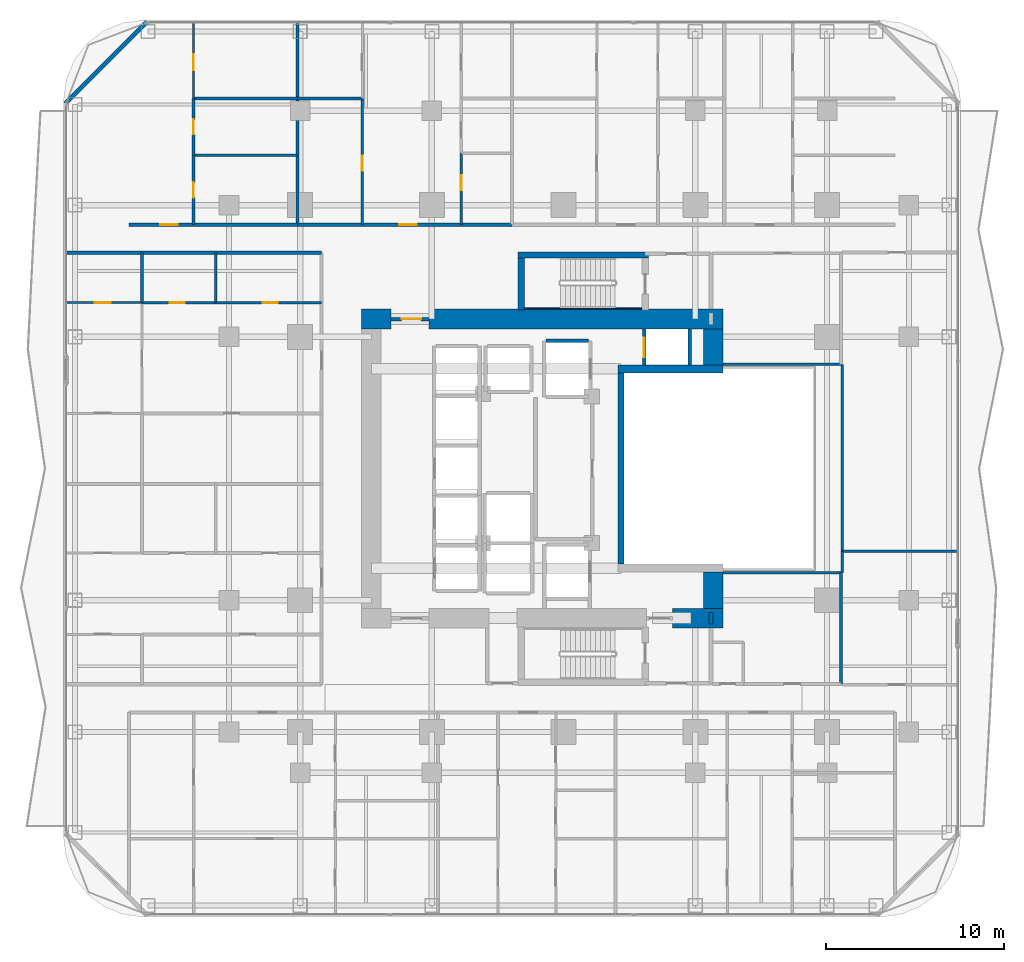
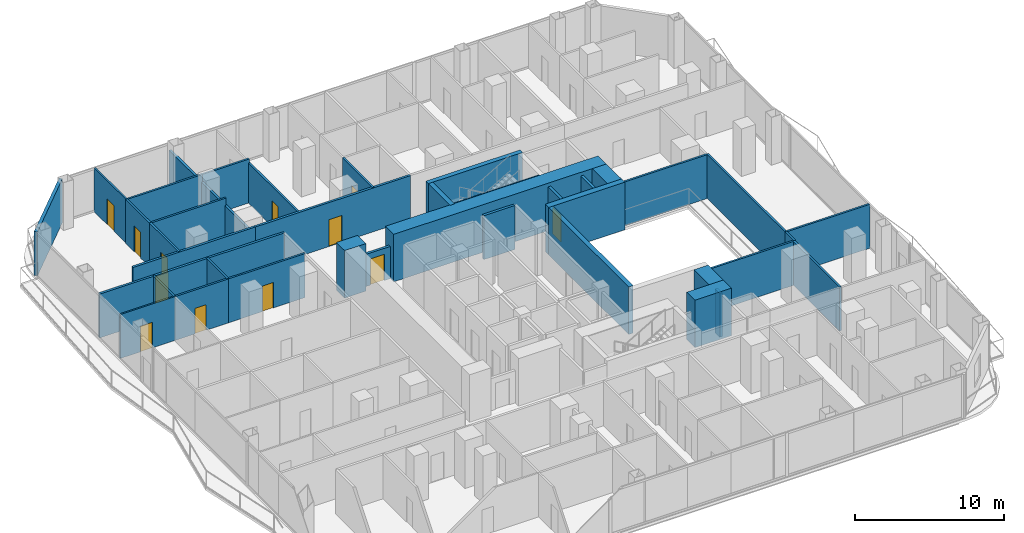
# One storey, part 22 of 29: 39 walls, 12 doors, 12 openings.
"""IFC4 building model written with IfcOpenShell, lengths in metres."""

from ifc_helpers import new_model, si_unit, direction, frame, frame_2d, origin, place, context, subcontext, project, spatial, rectangle, extrude, material, layer, layer_set, type_object, element, fill, save


model = new_model("IFC4")

# Units and contexts
model_context = context("Model", 3, precision=1e-05, world=origin(), true_north=direction((0.0, 1.0)))
body_context = subcontext(model_context, "Body", "Model", "MODEL_VIEW")
ifc_project = project(units=[si_unit("LENGTHUNIT", "METRE"), si_unit("AREAUNIT", "SQUARE_METRE"), si_unit("VOLUMEUNIT", "CUBIC_METRE"), si_unit("PLANEANGLEUNIT", "RADIAN"), si_unit("MASSUNIT", "GRAM", prefix="KILO")], contexts=[model_context])

# Site, building, storey
site_placement = place(None, origin())
site = spatial("IfcSite", under=ifc_project, at=site_placement, CompositionType="ELEMENT")
building_placement = place(site_placement, origin())
building = spatial("IfcBuilding", under=site, at=building_placement, Name="Khorvyn Point Tower", CompositionType="ELEMENT")
storey_placement = place(building_placement, frame((0.0, 0.0, 73.5)))
storey = spatial("IfcBuildingStorey", under=building, at=storey_placement, Name="L19", CompositionType="ELEMENT", Elevation=73.5)

# Wall, opening, door
ifc_material_1 = material(Name="Double acoustic gypsum on twin steel stud", Category="steel")
ifc_layer_1 = layer(ifc_material_1, 0.179931640625)
ifc_layer_set_1 = layer_set([ifc_layer_1], Name="Acoustic Double-Stud Apartment Demising Wall 180")
wall_type_1 = type_object("IfcWallType", Name="Acoustic Double-Stud Apartment Demising Wall 180", PredefinedType="PARTITIONING", material=ifc_layer_set_1)
wall_1_placement = place(storey_placement, frame((-24.419921875, 13.699951171875, 0.0), z_axis=(0.0, 0.0, 1.0), x_axis=(1.0, 0.0, 0.0)))
wall_1 = element("IfcWall", 1, at=wall_1_placement, inside=storey, type_object=wall_type_1, Name="Wall", PredefinedType="PARTITIONING", context=body_context, shape_type="SweptSolid", body=[
    extrude(rectangle(XDim=9.468994140625, YDim=0.179931640625, at=frame_2d((4.734375, 0.0))), origin(), (0.0, 0.0, 1.0), 3.60009765625),
])
opening_1_placement = place(wall_1_placement, frame((1.75439453125, 0.0, 0.0)))
opening_1 = element("IfcOpeningElement", 2, at=opening_1_placement, cuts=wall_1, Name="Opening ID-AP60", PredefinedType="OPENING", context=body_context, shape_type="SweptSolid", body=[
    extrude(rectangle(XDim=1.0, YDim=2.199951171875, at=frame_2d((0.5, 1.10009765625))), frame((0.0, 0.099853515625, 0.0), z_axis=(0.0, -1.0, 0.0), x_axis=(1.0, 0.0, 0.0)), (0.0, 0.0, 1.0), 0.199951171875),
])
ifc_material_2 = material(Name="Engineered hardwood fire-rated leaf", Category="wood")
door_type_1 = type_object("IfcDoorType", Name="Acoustic Solid-Core Timber Apartment Entrance Door 1000x2200", OperationType="NOTDEFINED", PredefinedType="DOOR", material=ifc_material_2)
door_1_placement = place(opening_1_placement, origin())
door_1 = element("IfcDoor", 3, at=door_1_placement, inside=storey, type_object=door_type_1, Name="Door", OperationType="SINGLE_SWING_LEFT", OverallHeight=2.199951171875, OverallWidth=1.0, PredefinedType="DOOR", context=body_context, shape_type="SweptSolid", body=[
    extrude(rectangle(XDim=1.0, YDim=2.199951171875, at=frame_2d((0.5, 1.10009765625))), frame((0.0, 0.02490234375, 0.0), z_axis=(0.0, -1.0, 0.0), x_axis=(1.0, 0.0, 0.0)), (0.0, 0.0, 1.0), 0.050048828125),
])
fill(opening_1, door_1)

wall_2_placement = place(storey_placement, frame((-14.950927734375, 13.699951171875, 0.0), z_axis=(0.0, 0.0, 1.0), x_axis=(1.0, 0.0, 0.0)))
wall_2 = element("IfcWall", 4, at=wall_2_placement, inside=storey, type_object=wall_type_1, Name="Wall", PredefinedType="PARTITIONING", context=body_context, shape_type="SweptSolid", body=[
    extrude(rectangle(XDim=12.051025390625, YDim=0.179931640625, at=frame_2d((6.025390625, 0.0))), origin(), (0.0, 0.0, 1.0), 3.60009765625),
])
opening_2_placement = place(wall_2_placement, frame((5.704345703125, 0.0, 0.0)))
opening_2 = element("IfcOpeningElement", 5, at=opening_2_placement, cuts=wall_2, Name="Opening ID-AP60", PredefinedType="OPENING", context=body_context, shape_type="SweptSolid", body=[
    extrude(rectangle(XDim=1.0, YDim=2.199951171875, at=frame_2d((0.5, 1.10009765625))), frame((0.0, 0.099853515625, 0.0), z_axis=(0.0, -1.0, 0.0), x_axis=(1.0, 0.0, 0.0)), (0.0, 0.0, 1.0), 0.199951171875),
])
door_2_placement = place(opening_2_placement, origin())
door_2 = element("IfcDoor", 6, at=door_2_placement, inside=storey, type_object=door_type_1, Name="Door", OperationType="SINGLE_SWING_LEFT", OverallHeight=2.199951171875, OverallWidth=1.0, PredefinedType="DOOR", context=body_context, shape_type="SweptSolid", body=[
    extrude(rectangle(XDim=1.0, YDim=2.199951171875, at=frame_2d((0.5, 1.10009765625))), frame((0.0, 0.02490234375, 0.0), z_axis=(0.0, -1.0, 0.0), x_axis=(1.0, 0.0, 0.0)), (0.0, 0.0, 1.0), 0.050048828125),
])
fill(opening_2, door_2)

# Walls
wall_3_placement = place(storey_placement, frame((-14.950927734375, 13.699951171875, 0.0), z_axis=(0.0, 0.0, 1.0), x_axis=(0.0, 1.0, 0.0)))
element("IfcWall", 7, at=wall_3_placement, inside=storey, type_object=wall_type_1, Name="Wall", PredefinedType="PARTITIONING", context=body_context, shape_type="SweptSolid", body=[
    extrude(rectangle(XDim=11.330078125, YDim=0.179931640625, at=frame_2d((5.6650390625, 0.0))), origin(), (0.0, 0.0, 1.0), 3.001953125),
])
wall_4_placement = place(storey_placement, frame((-27.929931640625, 12.1201171875, 0.0), z_axis=(0.0, 0.0, 1.0), x_axis=(1.0, 0.0, 0.0)))
element("IfcWall", 8, at=wall_4_placement, inside=storey, type_object=wall_type_1, Name="Wall", PredefinedType="PARTITIONING", context=body_context, shape_type="SweptSolid", body=[
    extrude(rectangle(XDim=14.329833984375, YDim=0.179931640625, at=frame_2d((7.1650390625, 0.0))), origin(), (0.0, 0.0, 1.0), 3.60009765625),
])
ifc_material_3 = material(Name="Pale anodised aluminium rainscreen on steel stud", Category="steel")
ifc_layer_2 = layer(ifc_material_3, 0.239990234375)
ifc_layer_set_2 = layer_set([ifc_layer_2], Name="Anodised Aluminium Insulated Corner Spandrel Wall 240")
wall_type_2 = type_object("IfcWallType", Name="Anodised Aluminium Insulated Corner Spandrel Wall 240", PredefinedType="SOLIDWALL", material=ifc_layer_set_2)
wall_5_placement = place(storey_placement, frame((-27.992431640625, 20.507568359375, 0.0), z_axis=(0.0, 0.0, 1.0), x_axis=(0.707106781187, 0.707106781187, 0.0)))
element("IfcWall", 9, at=wall_5_placement, inside=storey, type_object=wall_type_2, Name="L19 Rounded Corner Wall NW", PredefinedType="SOLIDWALL", context=body_context, shape_type="SweptSolid", body=[
    extrude(rectangle(XDim=6.48388671875, YDim=0.239990234375, at=frame_2d((3.241943359375, 0.0))), origin(), (0.0, 0.0, 1.0), 3.60009765625),
])
ifc_material_4 = material(Name="Concrete C40/50", Category="concrete")
ifc_layer_3 = layer(ifc_material_4, 0.449951171875)
ifc_layer_set_3 = layer_set([ifc_layer_3], Name="Concrete C40/50 Core Shear Wall 450")
wall_type_3 = type_object("IfcWallType", Name="Concrete C40/50 Core Shear Wall 450", PredefinedType="SHEAR", material=ifc_layer_set_3)
wall_6_placement = place(storey_placement, frame((3.044921875, 5.60009765625, 0.0), z_axis=(0.0, 0.0, 1.0), x_axis=(1.0, 0.0, 0.0)))
element("IfcWall", 10, at=wall_6_placement, inside=storey, type_object=wall_type_3, Name="Wall", PredefinedType="SHEAR", context=body_context, shape_type="SweptSolid", body=[
    extrude(rectangle(XDim=5.905029296875, YDim=0.449951171875, at=frame_2d((2.95263671875, 0.0))), origin(), (0.0, 0.0, 1.0), 3.89990234375),
])

# Wall, opening, door
ifc_layer_4 = layer(ifc_material_4, 0.199951171875)
ifc_layer_set_4 = layer_set([ifc_layer_4], Name="Concrete C40/50 Fire-Lobby Compartment Wall 200")
wall_type_4 = type_object("IfcWallType", Name="Concrete C40/50 Fire-Lobby Compartment Wall 200", PredefinedType="SOLIDWALL", material=ifc_layer_set_4)
wall_7_placement = place(storey_placement, frame((-9.699951171875, 8.39990234375, 0.0), z_axis=(0.0, 0.0, 1.0), x_axis=(1.0, 0.0, 0.0)))
wall_7 = element("IfcWall", 11, at=wall_7_placement, inside=storey, type_object=wall_type_4, Name="Wall", PredefinedType="SOLIDWALL", context=body_context, shape_type="SweptSolid", body=[
    extrude(rectangle(XDim=2.14990234375, YDim=0.199951171875, at=frame_2d((1.074951171875, 0.0))), origin(), (0.0, 0.0, 1.0), 2.639892578125),
])
opening_3_placement = place(wall_7_placement, frame((0.597900390625, 0.0, 0.0)))
opening_3 = element("IfcOpeningElement", 12, at=opening_3_placement, cuts=wall_7, Name="Opening ID-FL90", PredefinedType="OPENING", context=body_context, shape_type="SweptSolid", body=[
    extrude(rectangle(XDim=1.10009765625, YDim=2.14990234375, at=frame_2d((0.550048828125, 1.074951171875))), frame((0.0, 0.10986328125, 0.0), z_axis=(0.0, -1.0, 0.0), x_axis=(1.0, 0.0, 0.0)), (0.0, 0.0, 1.0), 0.219970703125),
])
ifc_material_5 = material(Name="Galvanised powder-coated steel", Category="steel")
door_type_2 = type_object("IfcDoorType", Name="Fire-Rated Steel Lobby and Stair Door 1100x2150", OperationType="NOTDEFINED", PredefinedType="DOOR", material=ifc_material_5)
door_3_placement = place(opening_3_placement, origin())
door_3 = element("IfcDoor", 13, at=door_3_placement, inside=storey, type_object=door_type_2, Name="Door", OperationType="SINGLE_SWING_LEFT", OverallHeight=2.14990234375, OverallWidth=1.10009765625, PredefinedType="DOOR", context=body_context, shape_type="SweptSolid", body=[
    extrude(rectangle(XDim=1.10009765625, YDim=2.14990234375, at=frame_2d((0.550048828125, 1.074951171875))), frame((0.0, 0.02490234375, 0.0), z_axis=(0.0, -1.0, 0.0), x_axis=(1.0, 0.0, 0.0)), (0.0, 0.0, 1.0), 0.050048828125),
])
fill(opening_3, door_3)

# Walls
wall_8_placement = place(storey_placement, frame((8.280029296875, -8.72509765625, 0.0), z_axis=(0.0, 0.0, 1.0), x_axis=(0.0, 1.0, 0.0)))
element("IfcWall", 14, at=wall_8_placement, inside=storey, type_object=wall_type_4, Name="Wall", PredefinedType="SOLIDWALL", context=body_context, shape_type="SweptSolid", body=[
    extrude(rectangle(XDim=0.625, YDim=0.199951171875, at=frame_2d((0.3125, 0.0))), origin(), (0.0, 0.0, 1.0), 3.60009765625),
])
ifc_layer_5 = layer(ifc_material_4, 0.25)
ifc_layer_set_5 = layer_set([ifc_layer_5], Name="Concrete C40/50 Stair Inner Cheek Structural Wall 250")
wall_type_5 = type_object("IfcWallType", Name="Concrete C40/50 Stair Inner Cheek Structural Wall 250", PredefinedType="SHEAR", material=ifc_layer_set_5)
wall_9_placement = place(storey_placement, frame((-2.199951171875, 8.987548828125, 0.0), z_axis=(0.0, 0.0, 1.0), x_axis=(1.0, 0.0, 0.0)))
element("IfcWall", 15, at=wall_9_placement, inside=storey, type_object=wall_type_5, Name="Wall", PredefinedType="SHEAR", context=body_context, shape_type="SweptSolid", body=[
    extrude(rectangle(XDim=6.599853515625, YDim=0.074951171875, at=frame_2d((3.2998046875, 0.0))), origin(), (0.0, 0.0, 1.0), 3.89990234375),
])
ifc_layer_6 = layer(ifc_material_4, 0.35009765625)
ifc_layer_set_6 = layer_set([ifc_layer_6], Name="Concrete C40/50 Stair Shaft Structural Wall 350")
wall_type_6 = type_object("IfcWallType", Name="Concrete C40/50 Stair Shaft Structural Wall 350", PredefinedType="SHEAR", material=ifc_layer_set_6)
wall_10_placement = place(storey_placement, frame((3.219970703125, -5.375, 0.0), z_axis=(0.0, 0.0, 1.0), x_axis=(0.0, 1.0, 0.0)))
element("IfcWall", 16, at=wall_10_placement, inside=storey, type_object=wall_type_6, Name="Wall", PredefinedType="SHEAR", context=body_context, shape_type="SweptSolid", body=[
    extrude(rectangle(XDim=10.75, YDim=0.35009765625, at=frame_2d((5.375, 0.0))), origin(), (0.0, 0.0, 1.0), 3.89990234375),
])
wall_11_placement = place(storey_placement, frame((-2.554931640625, 12.0, 0.0), z_axis=(0.0, 0.0, 1.0), x_axis=(1.0, 0.0, 0.0)))
element("IfcWall", 17, at=wall_11_placement, inside=storey, type_object=wall_type_6, Name="L19 ST-02 North Shaft Wall", PredefinedType="SHEAR", context=body_context, shape_type="SweptSolid", body=[
    extrude(rectangle(XDim=7.309814453125, YDim=0.35009765625, at=frame_2d((3.65478515625, 0.0))), origin(), (0.0, 0.0, 1.0), 3.89990234375),
])
wall_12_placement = place(storey_placement, frame((-2.3798828125, 8.89990234375, 0.0), z_axis=(0.0, 0.0, 1.0), x_axis=(0.0, 1.0, 0.0)))
element("IfcWall", 18, at=wall_12_placement, inside=storey, type_object=wall_type_6, Name="L19 ST-02 West Shaft Wall", PredefinedType="SHEAR", context=body_context, shape_type="SweptSolid", body=[
    extrude(rectangle(XDim=2.925048828125, YDim=0.35009765625, at=frame_2d((1.46240234375, 0.0))), origin(), (0.0, 0.0, 1.0), 3.89990234375),
])
ifc_layer_7 = layer(ifc_material_4, 0.199951171875)
ifc_layer_set_7 = layer_set([ifc_layer_7], Name="Concrete C40/50 Structural Hoistway and Stair Shaft Wall 200")
wall_type_7 = type_object("IfcWallType", Name="Concrete C40/50 Structural Hoistway and Stair Shaft Wall 200", PredefinedType="SHEAR", material=ifc_layer_set_7)
wall_13_placement = place(storey_placement, frame((-1.0, 7.175048828125, 0.0), z_axis=(0.0, 0.0, 1.0), x_axis=(1.0, 0.0, 0.0)))
element("IfcWall", 19, at=wall_13_placement, inside=storey, type_object=wall_type_7, Name="Wall", PredefinedType="SHEAR", context=body_context, shape_type="SweptSolid", body=[
    extrude(rectangle(XDim=2.39990234375, YDim=0.199951171875, at=frame_2d((1.199951171875, 0.0))), origin(), (0.0, 0.0, 1.0), 3.60009765625),
])

# Wall, opening, door
wall_14_placement = place(storey_placement, frame((4.52490234375, 5.824951171875, 0.0), z_axis=(0.0, 0.0, 1.0), x_axis=(0.0, 1.0, 0.0)))
wall_14 = element("IfcWall", 20, at=wall_14_placement, inside=storey, type_object=wall_type_7, Name="Wall", PredefinedType="SHEAR", context=body_context, shape_type="SweptSolid", body=[
    extrude(rectangle(XDim=2.025146484375, YDim=0.199951171875, at=frame_2d((1.0126953125, 0.0))), origin(), (0.0, 0.0, 1.0), 3.60009765625),
])
opening_4_placement = place(wall_14_placement, frame((0.425048828125, 0.0, 0.0)))
opening_4 = element("IfcOpeningElement", 21, at=opening_4_placement, cuts=wall_14, Name="Opening LD-1122", PredefinedType="OPENING", context=body_context, shape_type="SweptSolid", body=[
    extrude(rectangle(XDim=1.10009765625, YDim=2.199951171875, at=frame_2d((0.550048828125, 1.10009765625))), frame((0.0, 0.10986328125, 0.0), z_axis=(0.0, -1.0, 0.0), x_axis=(1.0, 0.0, 0.0)), (0.0, 0.0, 1.0), 0.219970703125),
])
ifc_material_6 = material(Name="Stainless steel 1.4301", Category="steel")
door_type_3 = type_object("IfcDoorType", Name="Stainless Steel Automatic Sliding Lift Landing Door 1100x2200", OperationType="SLIDING_TO_LEFT", PredefinedType="DOOR", material=ifc_material_6)
door_4_placement = place(opening_4_placement, origin())
door_4 = element("IfcDoor", 22, at=door_4_placement, inside=storey, type_object=door_type_3, Name="L19 FF-02 Sliding Lift Landing Door", OperationType="SLIDING_TO_LEFT", OverallHeight=2.199951171875, OverallWidth=1.10009765625, PredefinedType="DOOR", context=body_context, shape_type="SweptSolid", body=[
    extrude(rectangle(XDim=1.10009765625, YDim=2.199951171875, at=frame_2d((0.550048828125, 1.10009765625))), frame((0.0, 0.02490234375, 0.0), z_axis=(0.0, -1.0, 0.0), x_axis=(1.0, 0.0, 0.0)), (0.0, 0.0, 1.0), 0.050048828125),
])
fill(opening_4, door_4)

# Walls
wall_15_placement = place(storey_placement, frame((7.074951171875, 5.824951171875, 0.0), z_axis=(0.0, 0.0, 1.0), x_axis=(0.0, 1.0, 0.0)))
element("IfcWall", 23, at=wall_15_placement, inside=storey, type_object=wall_type_7, Name="Wall", PredefinedType="SHEAR", context=body_context, shape_type="SweptSolid", body=[
    extrude(rectangle(XDim=2.025146484375, YDim=0.199951171875, at=frame_2d((1.0126953125, 0.0))), origin(), (0.0, 0.0, 1.0), 3.60009765625),
])
ifc_material_7 = material(Name="Concrete C50/60", Category="concrete")
ifc_layer_8 = layer(ifc_material_7, 1.10009765625)
ifc_layer_set_8 = layer_set([ifc_layer_8], Name="Concrete C50/60 Core Shear Wall 1100")
wall_type_8 = type_object("IfcWallType", Name="Concrete C50/60 Core Shear Wall 1100", PredefinedType="SHEAR", material=ifc_layer_set_8)
wall_16_placement = place(storey_placement, frame((6.1201171875, -8.39990234375, 0.0), z_axis=(0.0, 0.0, 1.0), x_axis=(1.0, 0.0, 0.0)))
element("IfcWall", 24, at=wall_16_placement, inside=storey, type_object=wall_type_8, Name="Wall", PredefinedType="SHEAR", context=body_context, shape_type="SweptSolid", body=[
    extrude(rectangle(XDim=2.829833984375, YDim=1.10009765625, at=frame_2d((1.4150390625, 0.0))), origin(), (0.0, 0.0, 1.0), 3.89990234375),
])
wall_17_placement = place(storey_placement, frame((-11.35009765625, 8.39990234375, 0.0), z_axis=(0.0, 0.0, 1.0), x_axis=(1.0, 0.0, 0.0)))
element("IfcWall", 25, at=wall_17_placement, inside=storey, type_object=wall_type_8, Name="Wall", PredefinedType="SHEAR", context=body_context, shape_type="SweptSolid", body=[
    extrude(rectangle(XDim=1.650146484375, YDim=1.10009765625, at=frame_2d((0.8251953125, 0.0))), origin(), (0.0, 0.0, 1.0), 3.89990234375),
])
wall_18_placement = place(storey_placement, frame((-7.550048828125, 8.39990234375, 0.0), z_axis=(0.0, 0.0, 1.0), x_axis=(1.0, 0.0, 0.0)))
element("IfcWall", 26, at=wall_18_placement, inside=storey, type_object=wall_type_8, Name="Wall", PredefinedType="SHEAR", context=body_context, shape_type="SweptSolid", body=[
    extrude(rectangle(XDim=16.5, YDim=1.10009765625, at=frame_2d((8.25, 0.0))), origin(), (0.0, 0.0, 1.0), 3.89990234375),
])
for number, where, z_axis, x_axis, name in (
    (27, (8.39990234375, -7.85009765625, 0.0), (0.0, 0.0, 1.0), (0.0, 1.0, 0.0), "Wall"),
    (28, (8.39990234375, 5.824951171875, 0.0), (0.0, 0.0, 1.0), (0.0, 1.0, 0.0), "Wall"),
):
    element("IfcWall", number, at=place(storey_placement, frame(where, z_axis=z_axis, x_axis=x_axis)), inside=storey, type_object=wall_type_8, Name=name, PredefinedType="SHEAR", context=body_context, shape_type="SweptSolid", body=[
        extrude(rectangle(XDim=2.025146484375, YDim=1.10009765625, at=frame_2d((1.0126953125, 0.0))), origin(), (0.0, 0.0, 1.0), 3.89990234375),
    ])

# Wall, opening, door
ifc_material_8 = material(Name="Gypsum plasterboard on steel stud", Category="steel")
ifc_layer_9 = layer(ifc_material_8, 0.1201171875)
ifc_layer_set_9 = layer_set([ifc_layer_9], Name="Gypsum Acoustic Stud Room Partition Wall 120")
wall_type_9 = type_object("IfcWallType", Name="Gypsum Acoustic Stud Room Partition Wall 120", PredefinedType="PARTITIONING", material=ifc_layer_set_9)
wall_19_placement = place(storey_placement, frame((-20.797119140625, 20.7900390625, 0.0), z_axis=(0.0, 0.0, 1.0), x_axis=(0.0, 1.0, 0.0)))
wall_19 = element("IfcWall", 29, at=wall_19_placement, inside=storey, type_object=wall_type_9, Name="Wall", PredefinedType="PARTITIONING", context=body_context, shape_type="SweptSolid", body=[
    extrude(rectangle(XDim=4.239990234375, YDim=0.1201171875, at=frame_2d((2.1201171875, 0.0))), origin(), (0.0, 0.0, 1.0), 3.60009765625),
])
opening_5_placement = place(wall_19_placement, frame((1.581298828125, 0.0, 0.0)))
opening_5 = element("IfcOpeningElement", 30, at=opening_5_placement, cuts=wall_19, Name="Opening ID-RM90", PredefinedType="OPENING", context=body_context, shape_type="SweptSolid", body=[
    extrude(rectangle(XDim=0.89990234375, YDim=2.10009765625, at=frame_2d((0.449951171875, 1.050048828125))), frame((0.0, 0.070068359375, 0.0), z_axis=(0.0, -1.0, 0.0), x_axis=(1.0, 0.0, 0.0)), (0.0, 0.0, 1.0), 0.14013671875),
])
ifc_material_9 = material(Name="Engineered oak veneer timber", Category="wood")
door_type_4 = type_object("IfcDoorType", Name="Flush Engineered Timber Room Door 900x2100", OperationType="NOTDEFINED", PredefinedType="DOOR", material=ifc_material_9)
door_5_placement = place(opening_5_placement, origin())
door_5 = element("IfcDoor", 31, at=door_5_placement, inside=storey, type_object=door_type_4, Name="Door", OperationType="SINGLE_SWING_RIGHT", OverallHeight=2.10009765625, OverallWidth=0.89990234375, PredefinedType="DOOR", context=body_context, shape_type="SweptSolid", body=[
    extrude(rectangle(XDim=0.89990234375, YDim=2.10009765625, at=frame_2d((0.449951171875, 1.050048828125))), frame((0.0, 0.02490234375, 0.0), z_axis=(0.0, -1.0, 0.0), x_axis=(1.0, 0.0, 0.0)), (0.0, 0.0, 1.0), 0.050048828125),
])
fill(opening_5, door_5)

wall_20_placement = place(storey_placement, frame((-27.929931640625, 9.320068359375, 0.0), z_axis=(0.0, 0.0, 1.0), x_axis=(1.0, 0.0, 0.0)))
wall_20 = element("IfcWall", 32, at=wall_20_placement, inside=storey, type_object=wall_type_9, Name="Wall", PredefinedType="PARTITIONING", context=body_context, shape_type="SweptSolid", body=[
    extrude(rectangle(XDim=4.239990234375, YDim=0.1201171875, at=frame_2d((2.1201171875, 0.0))), origin(), (0.0, 0.0, 1.0), 3.60009765625),
])
opening_6_placement = place(wall_20_placement, frame((1.581298828125, 0.0, 0.0)))
opening_6 = element("IfcOpeningElement", 33, at=opening_6_placement, cuts=wall_20, Name="Opening ID-RM90", PredefinedType="OPENING", context=body_context, shape_type="SweptSolid", body=[
    extrude(rectangle(XDim=0.89990234375, YDim=2.10009765625, at=frame_2d((0.449951171875, 1.050048828125))), frame((0.0, 0.070068359375, 0.0), z_axis=(0.0, -1.0, 0.0), x_axis=(1.0, 0.0, 0.0)), (0.0, 0.0, 1.0), 0.14013671875),
])
door_6_placement = place(opening_6_placement, origin())
door_6 = element("IfcDoor", 34, at=door_6_placement, inside=storey, type_object=door_type_4, Name="Door", OperationType="SINGLE_SWING_LEFT", OverallHeight=2.10009765625, OverallWidth=0.89990234375, PredefinedType="DOOR", context=body_context, shape_type="SweptSolid", body=[
    extrude(rectangle(XDim=0.89990234375, YDim=2.10009765625, at=frame_2d((0.449951171875, 1.050048828125))), frame((0.0, 0.02490234375, 0.0), z_axis=(0.0, -1.0, 0.0), x_axis=(1.0, 0.0, 0.0)), (0.0, 0.0, 1.0), 0.050048828125),
])
fill(opening_6, door_6)

ifc_material_10 = material(Name="Moisture-resistant gypsum and cement board", Category="gypsum")
ifc_layer_10 = layer(ifc_material_10, 0.14990234375)
ifc_layer_set_10 = layer_set([ifc_layer_10], Name="Moisture-Resistant Wet-Room Partition Wall 150")
wall_type_10 = type_object("IfcWallType", Name="Moisture-Resistant Wet-Room Partition Wall 150", PredefinedType="PARTITIONING", material=ifc_layer_set_10)
wall_21_placement = place(storey_placement, frame((-20.797119140625, 13.699951171875, 0.0), z_axis=(0.0, 0.0, 1.0), x_axis=(0.0, 1.0, 0.0)))
wall_21 = element("IfcWall", 35, at=wall_21_placement, inside=storey, type_object=wall_type_10, Name="Wall", PredefinedType="PARTITIONING", context=body_context, shape_type="SweptSolid", body=[
    extrude(rectangle(XDim=3.899169921875, YDim=0.14990234375, at=frame_2d((1.94970703125, 0.0))), origin(), (0.0, 0.0, 1.0), 3.60009765625),
])
opening_7_placement = place(wall_21_placement, frame((1.5244140625, 0.0, 0.0)))
opening_7 = element("IfcOpeningElement", 36, at=opening_7_placement, cuts=wall_21, Name="Opening ID-WC85", PredefinedType="OPENING", context=body_context, shape_type="SweptSolid", body=[
    extrude(rectangle(XDim=0.85009765625, YDim=2.10009765625, at=frame_2d((0.425048828125, 1.050048828125))), frame((0.0, 0.0849609375, 0.0), z_axis=(0.0, -1.0, 0.0), x_axis=(1.0, 0.0, 0.0)), (0.0, 0.0, 1.0), 0.169921875),
])
ifc_material_11 = material(Name="High-pressure laminate on moisture-resistant core", Category="wood")
door_type_5 = type_object("IfcDoorType", Name="Moisture-Resistant Accessible Washroom Door 850x2100", OperationType="NOTDEFINED", PredefinedType="DOOR", material=ifc_material_11)
door_7_placement = place(opening_7_placement, origin())
door_7 = element("IfcDoor", 37, at=door_7_placement, inside=storey, type_object=door_type_5, Name="Door", OperationType="SINGLE_SWING_RIGHT", OverallHeight=2.10009765625, OverallWidth=0.85009765625, PredefinedType="DOOR", context=body_context, shape_type="SweptSolid", body=[
    extrude(rectangle(XDim=0.85009765625, YDim=2.10009765625, at=frame_2d((0.425048828125, 1.050048828125))), frame((0.0, 0.02490234375, 0.0), z_axis=(0.0, -1.0, 0.0), x_axis=(1.0, 0.0, 0.0)), (0.0, 0.0, 1.0), 0.050048828125),
])
fill(opening_7, door_7)

wall_22_placement = place(storey_placement, frame((-20.797119140625, 17.59912109375, 0.0), z_axis=(0.0, 0.0, 1.0), x_axis=(0.0, 1.0, 0.0)))
wall_22 = element("IfcWall", 38, at=wall_22_placement, inside=storey, type_object=wall_type_10, Name="Wall", PredefinedType="PARTITIONING", context=body_context, shape_type="SweptSolid", body=[
    extrude(rectangle(XDim=3.19091796875, YDim=0.14990234375, at=frame_2d((1.595458984375, 0.0))), origin(), (0.0, 0.0, 1.0), 3.60009765625),
])
opening_8_placement = place(wall_22_placement, frame((1.17041015625, 0.0, 0.0)))
opening_8 = element("IfcOpeningElement", 39, at=opening_8_placement, cuts=wall_22, Name="Opening ID-WC85", PredefinedType="OPENING", context=body_context, shape_type="SweptSolid", body=[
    extrude(rectangle(XDim=0.85009765625, YDim=2.10009765625, at=frame_2d((0.425048828125, 1.050048828125))), frame((0.0, 0.0849609375, 0.0), z_axis=(0.0, -1.0, 0.0), x_axis=(1.0, 0.0, 0.0)), (0.0, 0.0, 1.0), 0.169921875),
])
door_8_placement = place(opening_8_placement, origin())
door_8 = element("IfcDoor", 40, at=door_8_placement, inside=storey, type_object=door_type_5, Name="Door", OperationType="SINGLE_SWING_LEFT", OverallHeight=2.10009765625, OverallWidth=0.85009765625, PredefinedType="DOOR", context=body_context, shape_type="SweptSolid", body=[
    extrude(rectangle(XDim=0.85009765625, YDim=2.10009765625, at=frame_2d((0.425048828125, 1.050048828125))), frame((0.0, 0.02490234375, 0.0), z_axis=(0.0, -1.0, 0.0), x_axis=(1.0, 0.0, 0.0)), (0.0, 0.0, 1.0), 0.050048828125),
])
fill(opening_8, door_8)

wall_23_placement = place(storey_placement, frame((-11.30810546875, 13.699951171875, 0.0), z_axis=(0.0, 0.0, 1.0), x_axis=(0.0, 1.0, 0.0)))
wall_23 = element("IfcWall", 41, at=wall_23_placement, inside=storey, type_object=wall_type_10, Name="Wall", PredefinedType="PARTITIONING", context=body_context, shape_type="SweptSolid", body=[
    extrude(rectangle(XDim=7.090087890625, YDim=0.14990234375, at=frame_2d((3.544921875, 0.0))), origin(), (0.0, 0.0, 1.0), 3.2900390625),
])
opening_9_placement = place(wall_23_placement, frame((3.0302734375, 0.0, 0.0)))
opening_9 = element("IfcOpeningElement", 42, at=opening_9_placement, cuts=wall_23, Name="Opening ID-WC85", PredefinedType="OPENING", context=body_context, shape_type="SweptSolid", body=[
    extrude(rectangle(XDim=0.85009765625, YDim=2.10009765625, at=frame_2d((0.425048828125, 1.050048828125))), frame((0.0, 0.0849609375, 0.0), z_axis=(0.0, -1.0, 0.0), x_axis=(1.0, 0.0, 0.0)), (0.0, 0.0, 1.0), 0.169921875),
])
door_9_placement = place(opening_9_placement, origin())
door_9 = element("IfcDoor", 43, at=door_9_placement, inside=storey, type_object=door_type_5, Name="Door", OperationType="SINGLE_SWING_RIGHT", OverallHeight=2.10009765625, OverallWidth=0.85009765625, PredefinedType="DOOR", context=body_context, shape_type="SweptSolid", body=[
    extrude(rectangle(XDim=0.85009765625, YDim=2.10009765625, at=frame_2d((0.425048828125, 1.050048828125))), frame((0.0, 0.02490234375, 0.0), z_axis=(0.0, -1.0, 0.0), x_axis=(1.0, 0.0, 0.0)), (0.0, 0.0, 1.0), 0.050048828125),
])
fill(opening_9, door_9)

wall_24_placement = place(storey_placement, frame((-5.75, 13.699951171875, 0.0), z_axis=(0.0, 0.0, 1.0), x_axis=(0.0, 1.0, 0.0)))
wall_24 = element("IfcWall", 44, at=wall_24_placement, inside=storey, type_object=wall_type_10, Name="Wall", PredefinedType="PARTITIONING", context=body_context, shape_type="SweptSolid", body=[
    extrude(rectangle(XDim=4.02001953125, YDim=0.14990234375, at=frame_2d((2.010009765625, 0.0))), origin(), (0.0, 0.0, 1.0), 3.60009765625),
])
opening_10_placement = place(wall_24_placement, frame((1.941162109375, 0.0, 0.0)))
opening_10 = element("IfcOpeningElement", 45, at=opening_10_placement, cuts=wall_24, Name="Opening ID-WC85", PredefinedType="OPENING", context=body_context, shape_type="SweptSolid", body=[
    extrude(rectangle(XDim=0.85009765625, YDim=2.10009765625, at=frame_2d((0.425048828125, 1.050048828125))), frame((0.0, 0.0849609375, 0.0), z_axis=(0.0, -1.0, 0.0), x_axis=(1.0, 0.0, 0.0)), (0.0, 0.0, 1.0), 0.169921875),
])
door_10_placement = place(opening_10_placement, origin())
door_10 = element("IfcDoor", 46, at=door_10_placement, inside=storey, type_object=door_type_5, Name="Door", OperationType="SINGLE_SWING_RIGHT", OverallHeight=2.10009765625, OverallWidth=0.85009765625, PredefinedType="DOOR", context=body_context, shape_type="SweptSolid", body=[
    extrude(rectangle(XDim=0.85009765625, YDim=2.10009765625, at=frame_2d((0.425048828125, 1.050048828125))), frame((0.0, 0.02490234375, 0.0), z_axis=(0.0, -1.0, 0.0), x_axis=(1.0, 0.0, 0.0)), (0.0, 0.0, 1.0), 0.050048828125),
])
fill(opening_10, door_10)

wall_25_placement = place(storey_placement, frame((-23.68994140625, 9.320068359375, 0.0), z_axis=(0.0, 0.0, 1.0), x_axis=(1.0, 0.0, 0.0)))
wall_25 = element("IfcWall", 47, at=wall_25_placement, inside=storey, type_object=wall_type_10, Name="Wall", PredefinedType="PARTITIONING", context=body_context, shape_type="SweptSolid", body=[
    extrude(rectangle(XDim=4.136962890625, YDim=0.14990234375, at=frame_2d((2.068359375, 0.0))), origin(), (0.0, 0.0, 1.0), 3.60009765625),
])
opening_11_placement = place(wall_25_placement, frame((1.55615234375, 0.0, 0.0)))
opening_11 = element("IfcOpeningElement", 48, at=opening_11_placement, cuts=wall_25, Name="Opening ID-WC85", PredefinedType="OPENING", context=body_context, shape_type="SweptSolid", body=[
    extrude(rectangle(XDim=0.85009765625, YDim=2.10009765625, at=frame_2d((0.425048828125, 1.050048828125))), frame((0.0, 0.0849609375, 0.0), z_axis=(0.0, -1.0, 0.0), x_axis=(1.0, 0.0, 0.0)), (0.0, 0.0, 1.0), 0.169921875),
])
door_11_placement = place(opening_11_placement, origin())
door_11 = element("IfcDoor", 49, at=door_11_placement, inside=storey, type_object=door_type_5, Name="Door", OperationType="SINGLE_SWING_LEFT", OverallHeight=2.10009765625, OverallWidth=0.85009765625, PredefinedType="DOOR", context=body_context, shape_type="SweptSolid", body=[
    extrude(rectangle(XDim=0.85009765625, YDim=2.10009765625, at=frame_2d((0.425048828125, 1.050048828125))), frame((0.0, 0.02490234375, 0.0), z_axis=(0.0, -1.0, 0.0), x_axis=(1.0, 0.0, 0.0)), (0.0, 0.0, 1.0), 0.050048828125),
])
fill(opening_11, door_11)

wall_26_placement = place(storey_placement, frame((-19.552978515625, 9.320068359375, 0.0), z_axis=(0.0, 0.0, 1.0), x_axis=(1.0, 0.0, 0.0)))
wall_26 = element("IfcWall", 50, at=wall_26_placement, inside=storey, type_object=wall_type_10, Name="Wall", PredefinedType="PARTITIONING", context=body_context, shape_type="SweptSolid", body=[
    extrude(rectangle(XDim=5.952880859375, YDim=0.14990234375, at=frame_2d((2.9765625, 0.0))), origin(), (0.0, 0.0, 1.0), 3.60009765625),
])
opening_12_placement = place(wall_26_placement, frame((2.64013671875, 0.0, 0.0)))
opening_12 = element("IfcOpeningElement", 51, at=opening_12_placement, cuts=wall_26, Name="Opening ID-WC85", PredefinedType="OPENING", context=body_context, shape_type="SweptSolid", body=[
    extrude(rectangle(XDim=0.85009765625, YDim=2.10009765625, at=frame_2d((0.425048828125, 1.050048828125))), frame((0.0, 0.0849609375, 0.0), z_axis=(0.0, -1.0, 0.0), x_axis=(1.0, 0.0, 0.0)), (0.0, 0.0, 1.0), 0.169921875),
])
door_12_placement = place(opening_12_placement, origin())
door_12 = element("IfcDoor", 52, at=door_12_placement, inside=storey, type_object=door_type_5, Name="Door", OperationType="SINGLE_SWING_RIGHT", OverallHeight=2.10009765625, OverallWidth=0.85009765625, PredefinedType="DOOR", context=body_context, shape_type="SweptSolid", body=[
    extrude(rectangle(XDim=0.85009765625, YDim=2.10009765625, at=frame_2d((0.425048828125, 1.050048828125))), frame((0.0, 0.02490234375, 0.0), z_axis=(0.0, -1.0, 0.0), x_axis=(1.0, 0.0, 0.0)), (0.0, 0.0, 1.0), 0.050048828125),
])
fill(opening_12, door_12)

# Walls
wall_27_placement = place(storey_placement, frame((15.580078125, -12.10009765625, 0.0), z_axis=(0.0, 0.0, 1.0), x_axis=(0.0, 1.0, 0.0)))
element("IfcWall", 53, at=wall_27_placement, inside=storey, type_object=wall_type_10, Name="Wall", PredefinedType="PARTITIONING", context=body_context, shape_type="SweptSolid", body=[
    extrude(rectangle(XDim=6.25, YDim=0.14990234375, at=frame_2d((3.125, 0.0))), origin(), (0.0, 0.0, 1.0), 3.60009765625),
])
for number, where, z_axis, x_axis, name in (
    (54, (8.9599609375, -5.85009765625, 0.0), (0.0, 0.0, 1.0), (1.0, 0.0, 0.0), "Wall"),
    (55, (8.9599609375, 5.85009765625, 0.0), (0.0, 0.0, 1.0), (1.0, 0.0, 0.0), "Wall"),
):
    element("IfcWall", number, at=place(storey_placement, frame(where, z_axis=z_axis, x_axis=x_axis)), inside=storey, type_object=wall_type_10, Name=name, PredefinedType="PARTITIONING", context=body_context, shape_type="SweptSolid", body=[
        extrude(rectangle(XDim=6.6201171875, YDim=0.14990234375, at=frame_2d((3.31005859375, 0.0))), origin(), (0.0, 0.0, 1.0), 3.60009765625),
    ])
for number, where, z_axis, x_axis, name in (
    (56, (-20.797119140625, 17.59912109375, 0.0), (0.0, 0.0, 1.0), (1.0, 0.0, 0.0), "Wall"),
    (57, (-20.797119140625, 20.7900390625, 0.0), (0.0, 0.0, 1.0), (1.0, 0.0, 0.0), "Wall"),
):
    element("IfcWall", number, at=place(storey_placement, frame(where, z_axis=z_axis, x_axis=x_axis)), inside=storey, type_object=wall_type_10, Name=name, PredefinedType="PARTITIONING", context=body_context, shape_type="SweptSolid", body=[
        extrude(rectangle(XDim=5.84619140625, YDim=0.14990234375, at=frame_2d((2.923095703125, 0.0))), origin(), (0.0, 0.0, 1.0), 3.60009765625),
    ])
wall_28_placement = place(storey_placement, frame((-14.950927734375, 20.7900390625, 0.0), z_axis=(0.0, 0.0, 1.0), x_axis=(1.0, 0.0, 0.0)))
element("IfcWall", 58, at=wall_28_placement, inside=storey, type_object=wall_type_10, Name="Wall", PredefinedType="PARTITIONING", context=body_context, shape_type="SweptSolid", body=[
    extrude(rectangle(XDim=3.642822265625, YDim=0.14990234375, at=frame_2d((1.8212890625, 0.0))), origin(), (0.0, 0.0, 1.0), 3.60009765625),
])
for number, where, z_axis, x_axis, name in (
    (59, (-19.552978515625, 9.320068359375, 0.0), (0.0, 0.0, 1.0), (0.0, 1.0, 0.0), "Wall"),
    (60, (-23.68994140625, 9.320068359375, 0.0), (0.0, 0.0, 1.0), (0.0, 1.0, 0.0), "Wall"),
):
    element("IfcWall", number, at=place(storey_placement, frame(where, z_axis=z_axis, x_axis=x_axis)), inside=storey, type_object=wall_type_10, Name=name, PredefinedType="PARTITIONING", context=body_context, shape_type="SweptSolid", body=[
        extrude(rectangle(XDim=2.800048828125, YDim=0.14990234375, at=frame_2d((1.39990234375, 0.0))), origin(), (0.0, 0.0, 1.0), 3.60009765625),
    ])
wall_29_placement = place(storey_placement, frame((15.64990234375, -5.85009765625, 0.0), z_axis=(0.0, 0.0, 1.0), x_axis=(0.0, 1.0, 0.0)))
element("IfcWall", 61, at=wall_29_placement, inside=storey, type_object=wall_type_10, Name="Wall", PredefinedType="PARTITIONING", context=body_context, shape_type="SweptSolid", body=[
    extrude(rectangle(XDim=1.2001953125, YDim=0.14990234375, at=frame_2d((0.60009765625, 0.0))), origin(), (0.0, 0.0, 1.0), 3.60009765625),
])
wall_30_placement = place(storey_placement, frame((15.64990234375, -4.64990234375, 0.0), z_axis=(0.0, 0.0, 1.0), x_axis=(0.0, 1.0, 0.0)))
element("IfcWall", 62, at=wall_30_placement, inside=storey, type_object=wall_type_10, Name="Wall", PredefinedType="PARTITIONING", context=body_context, shape_type="SweptSolid", body=[
    extrude(rectangle(XDim=10.5, YDim=0.14990234375, at=frame_2d((5.25, 0.0))), origin(), (0.0, 0.0, 1.0), 3.60009765625),
])
wall_31_placement = place(storey_placement, frame((15.64990234375, -4.64990234375, 0.0), z_axis=(0.0, 0.0, 1.0), x_axis=(1.0, 0.0, 0.0)))
element("IfcWall", 63, at=wall_31_placement, inside=storey, type_object=wall_type_10, Name="Wall", PredefinedType="PARTITIONING", context=body_context, shape_type="SweptSolid", body=[
    extrude(rectangle(XDim=6.47998046875, YDim=0.14990234375, at=frame_2d((3.239990234375, 0.0))), origin(), (0.0, 0.0, 1.0), 3.60009765625),
])

save(model, "model.ifc")
